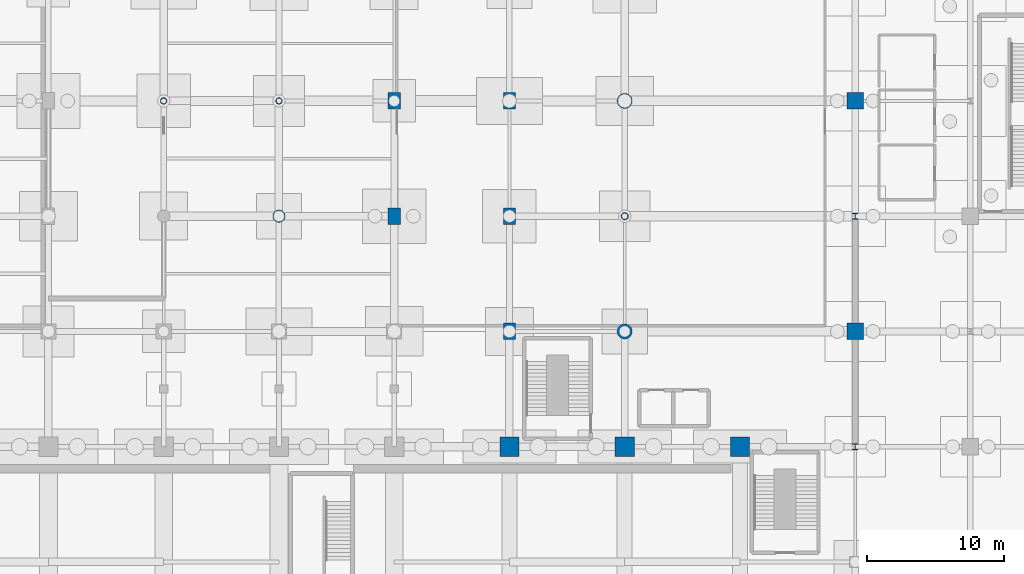
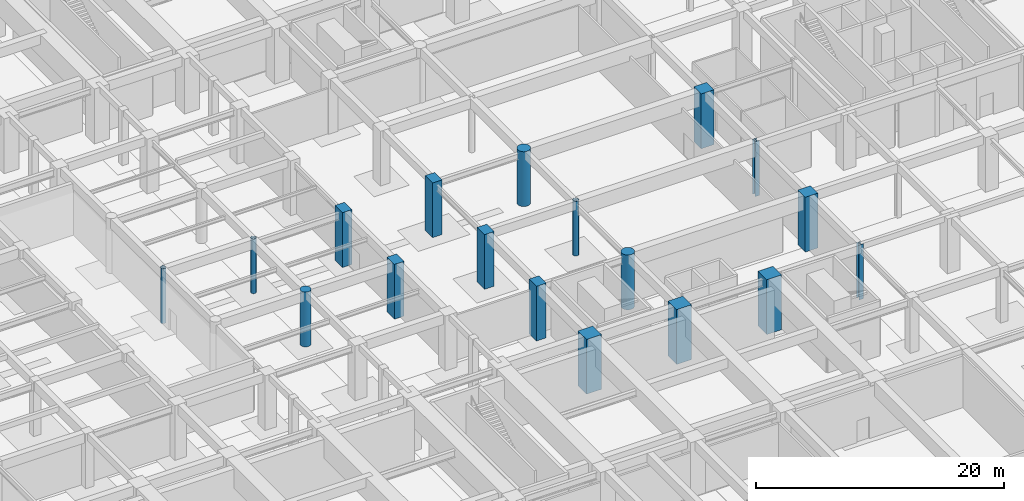
# One storey, part 5 of 26: 18 columns.
"""IFC4 building model written with IfcOpenShell, lengths in metres."""

from ifc_helpers import new_model, si_unit, direction, frame, origin, origin_2d, place, context, subcontext, project, spatial, rectangle, circle, hollow_circle, i_section, extrude, material, material_profile, profile_set, type_object, element, save


model = new_model("IFC4")

# Units and contexts
model_context = context("Model", 3, precision=1e-05, world=origin(), true_north=direction((0.0, 1.0)))
body_context = subcontext(model_context, "Body", "Model", "MODEL_VIEW")
ifc_project = project(units=[si_unit("LENGTHUNIT", "METRE"), si_unit("AREAUNIT", "SQUARE_METRE"), si_unit("VOLUMEUNIT", "CUBIC_METRE"), si_unit("PLANEANGLEUNIT", "RADIAN"), si_unit("MASSUNIT", "GRAM", prefix="KILO")], contexts=[model_context])

# Site, building, storey
site_placement = place(None, origin())
site = spatial("IfcSite", under=ifc_project, at=site_placement, CompositionType="ELEMENT")
building_placement = place(site_placement, origin())
building = spatial("IfcBuilding", under=site, at=building_placement, Name="Xuanlan Plaza Opera House", CompositionType="ELEMENT")
storey_placement = place(building_placement, frame((0.0, 0.0, -5.39990234375)))
storey = spatial("IfcBuildingStorey", under=building, at=storey_placement, Name="B01", CompositionType="ELEMENT", Elevation=-5.39990234375)

# Columns
ifc_material_1 = material(Name="Concrete C60", Category="concrete")
ifc_material_profile_1 = material_profile(ifc_material_1, rectangle(XDim=1.39990234375, YDim=1.39990234375, at=origin_2d()), Name="RC-COL 1400x1400")
ifc_profile_set_1 = profile_set([ifc_material_profile_1], Name="Concrete C60")
column_type_1 = type_object("IfcColumnType", Name="STR-COL-C-01", PredefinedType="COLUMN", material=ifc_profile_set_1)
for number, where, z_axis, x_axis, name in (
    (1, (100.800048828125, 33.60009765625, 0.0), (0.0, 0.0, 1.0), (1.0, 0.0, 0.0), "Column B01 13-E"),
    (2, (109.199951171875, 33.60009765625, 0.0), (0.0, 0.0, 1.0), (1.0, 0.0, 0.0), "Column B01 14-E"),
    (3, (117.60009765625, 33.60009765625, 0.0), (0.0, 0.0, 1.0), (1.0, 0.0, 0.0), "Column B01 15-E"),
):
    element("IfcColumn", number, at=place(storey_placement, frame(where, z_axis=z_axis, x_axis=x_axis)), inside=storey, type_object=column_type_1, Name=name, PredefinedType="COLUMN", context=body_context, shape_type="SweptSolid", body=[
        extrude(rectangle(XDim=1.39990234375, YDim=1.39990234375, at=origin_2d()), origin(), (0.0, 0.0, 1.0), 5.39990234375),
    ])
ifc_material_profile_2 = material_profile(ifc_material_1, rectangle(XDim=1.199951171875, YDim=1.199951171875, at=origin_2d()), Name="RC-COL 1200x1200")
ifc_profile_set_2 = profile_set([ifc_material_profile_2], Name="Concrete C60")
column_type_2 = type_object("IfcColumnType", Name="STR-COL-C-02", PredefinedType="COLUMN", material=ifc_profile_set_2)
for number, where, z_axis, x_axis, name in (
    (4, (126.0, 42.0, 0.0), (0.0, 0.0, 1.0), (1.0, 0.0, 0.0), "Column B01 16-F"),
    (5, (126.0, 58.800048828125, 0.0), (0.0, 0.0, 1.0), (1.0, 0.0, 0.0), "Column B01 16-H"),
):
    element("IfcColumn", number, at=place(storey_placement, frame(where, z_axis=z_axis, x_axis=x_axis)), inside=storey, type_object=column_type_2, Name=name, PredefinedType="COLUMN", context=body_context, shape_type="SweptSolid", body=[
        extrude(rectangle(XDim=1.199951171875, YDim=1.199951171875, at=origin_2d()), origin(), (0.0, 0.0, 1.0), 5.39990234375),
    ])
ifc_material_2 = material(Name="Concrete C50", Category="concrete")
ifc_material_profile_3 = material_profile(ifc_material_2, rectangle(XDim=0.89990234375, YDim=1.199951171875, at=origin_2d()), Name="RC-COL 900x1200")
ifc_profile_set_3 = profile_set([ifc_material_profile_3], Name="Concrete C50")
column_type_3 = type_object("IfcColumnType", Name="STR-COL-C-10", PredefinedType="COLUMN", material=ifc_profile_set_3)
for number, where, z_axis, x_axis, name in (
    (6, (92.39990234375, 50.39990234375, 0.0), (0.0, 0.0, 1.0), (1.0, 0.0, 0.0), "Column B01 12-G"),
    (7, (92.39990234375, 58.800048828125, 0.0), (0.0, 0.0, 1.0), (1.0, 0.0, 0.0), "Column B01 12-H"),
    (8, (100.800048828125, 42.0, 0.0), (0.0, 0.0, 1.0), (1.0, 0.0, 0.0), "Column B01 13-F"),
    (9, (100.800048828125, 50.39990234375, 0.0), (0.0, 0.0, 1.0), (1.0, 0.0, 0.0), "Column B01 13-G"),
    (10, (100.800048828125, 58.800048828125, 0.0), (0.0, 0.0, 1.0), (1.0, 0.0, 0.0), "Column B01 13-H"),
):
    element("IfcColumn", number, at=place(storey_placement, frame(where, z_axis=z_axis, x_axis=x_axis)), inside=storey, type_object=column_type_3, Name=name, PredefinedType="COLUMN", context=body_context, shape_type="SweptSolid", body=[
        extrude(rectangle(XDim=0.89990234375, YDim=1.199951171875, at=origin_2d()), origin(), (0.0, 0.0, 1.0), 5.39990234375),
    ])
ifc_material_profile_4 = material_profile(ifc_material_2, circle(Radius=0.550048828125, at=origin_2d()), Name="RC-COL D1100")
ifc_profile_set_4 = profile_set([ifc_material_profile_4], Name="Concrete C50")
column_type_4 = type_object("IfcColumnType", Name="STR-COL-C-11", PredefinedType="COLUMN", material=ifc_profile_set_4)
for number, where, z_axis, x_axis, name in (
    (11, (109.199951171875, 42.0, 0.0), (0.0, 0.0, 1.0), (1.0, 0.0, 0.0), "Column B01 14-F"),
    (12, (109.199951171875, 58.800048828125, 0.0), (0.0, 0.0, 1.0), (1.0, 0.0, 0.0), "Column B01 14-H"),
):
    element("IfcColumn", number, at=place(storey_placement, frame(where, z_axis=z_axis, x_axis=x_axis)), inside=storey, type_object=column_type_4, Name=name, PredefinedType="COLUMN", context=body_context, shape_type="SweptSolid", body=[
        extrude(circle(Radius=0.550048828125, at=origin_2d()), origin(), (0.0, 0.0, 1.0), 5.39990234375),
    ])
ifc_material_3 = material(Name="Concrete C40", Category="concrete")
ifc_material_profile_5 = material_profile(ifc_material_3, circle(Radius=0.449951171875, at=origin_2d()), Name="RC-COL D900")
ifc_profile_set_5 = profile_set([ifc_material_profile_5], Name="Concrete C40")
column_type_5 = type_object("IfcColumnType", Name="STR-COL-C-12", PredefinedType="COLUMN", material=ifc_profile_set_5)
column_1_placement = place(storey_placement, frame((84.0, 50.39990234375, 0.0), z_axis=(0.0, 0.0, 1.0), x_axis=(1.0, 0.0, 0.0)))
element("IfcColumn", 13, at=column_1_placement, inside=storey, type_object=column_type_5, Name="Column B01 11-G", PredefinedType="COLUMN", context=body_context, shape_type="SweptSolid", body=[
    extrude(circle(Radius=0.449951171875, at=origin_2d()), origin(), (0.0, 0.0, 1.0), 5.39990234375),
])
ifc_material_4 = material(Name="Steel Q390B", Category="steel")
ifc_material_profile_6 = material_profile(ifc_material_4, i_section(OverallWidth=0.405029296875, OverallDepth=0.4140625, WebThickness=0.01806640625, FlangeThickness=0.028076171875, FilletRadius=0.02197265625, at=origin_2d()), Name="HW 414x405x18x28")
ifc_profile_set_6 = profile_set([ifc_material_profile_6], Name="Steel Q390B")
column_type_6 = type_object("IfcColumnType", Name="STR-COL-C-13", PredefinedType="COLUMN", material=ifc_profile_set_6)
for number, where, z_axis, x_axis, name in (
    (14, (126.0, 33.60009765625, 0.0), (0.0, 0.0, 1.0), (1.0, 0.0, 0.0), "Column B01 16-E"),
    (15, (126.0, 50.39990234375, 0.0), (0.0, 0.0, 1.0), (1.0, 0.0, 0.0), "Column B01 16-G"),
):
    element("IfcColumn", number, at=place(storey_placement, frame(where, z_axis=z_axis, x_axis=x_axis)), inside=storey, type_object=column_type_6, Name=name, PredefinedType="COLUMN", context=body_context, shape_type="SweptSolid", body=[
        extrude(i_section(OverallWidth=0.405029296875, OverallDepth=0.4140625, WebThickness=0.01806640625, FlangeThickness=0.028076171875, FilletRadius=0.02197265625, at=origin_2d()), origin(), (0.0, 0.0, 1.0), 5.39990234375),
    ])
ifc_material_5 = material(Name="Steel Q355B", Category="steel")
ifc_material_profile_7 = material_profile(ifc_material_5, hollow_circle(Radius=0.25390625, WallThickness=0.02001953125, at=origin_2d()), Name="CHS 508x20")
ifc_profile_set_7 = profile_set([ifc_material_profile_7], Name="Steel Q355B")
column_type_7 = type_object("IfcColumnType", Name="STR-COL-C-16", PredefinedType="COLUMN", material=ifc_profile_set_7)
column_2_placement = place(storey_placement, frame((109.199951171875, 50.39990234375, 0.0), z_axis=(0.0, 0.0, 1.0), x_axis=(1.0, 0.0, 0.0)))
element("IfcColumn", 16, at=column_2_placement, inside=storey, type_object=column_type_7, Name="Column B01 14-G", PredefinedType="COLUMN", context=body_context, shape_type="SweptSolid", body=[
    extrude(hollow_circle(Radius=0.25390625, WallThickness=0.02001953125, at=origin_2d()), origin(), (0.0, 0.0, 1.0), 5.39990234375),
])
ifc_material_profile_8 = material_profile(ifc_material_5, hollow_circle(Radius=0.228515625, WallThickness=0.02001953125, at=origin_2d()), Name="CHS 457x20")
ifc_profile_set_8 = profile_set([ifc_material_profile_8], Name="Steel Q355B")
column_type_8 = type_object("IfcColumnType", Name="STR-COL-C-17", PredefinedType="COLUMN", material=ifc_profile_set_8)
for number, where, z_axis, x_axis, name in (
    (17, (75.60009765625, 58.800048828125, 0.0), (0.0, 0.0, 1.0), (1.0, 0.0, 0.0), "Column B01 10-H"),
    (18, (84.0, 58.800048828125, 0.0), (0.0, 0.0, 1.0), (1.0, 0.0, 0.0), "Column B01 11-H"),
):
    element("IfcColumn", number, at=place(storey_placement, frame(where, z_axis=z_axis, x_axis=x_axis)), inside=storey, type_object=column_type_8, Name=name, PredefinedType="COLUMN", context=body_context, shape_type="SweptSolid", body=[
        extrude(hollow_circle(Radius=0.228515625, WallThickness=0.02001953125, at=origin_2d()), origin(), (0.0, 0.0, 1.0), 5.39990234375),
    ])

save(model, "model.ifc")
